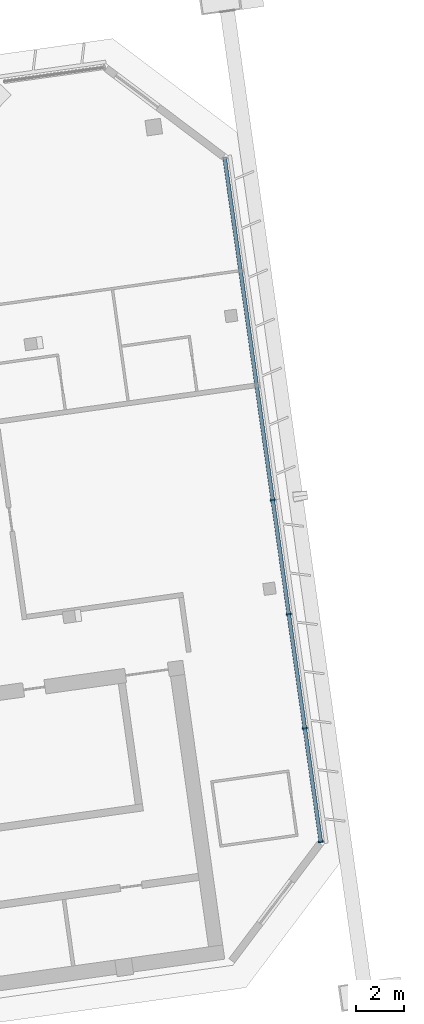
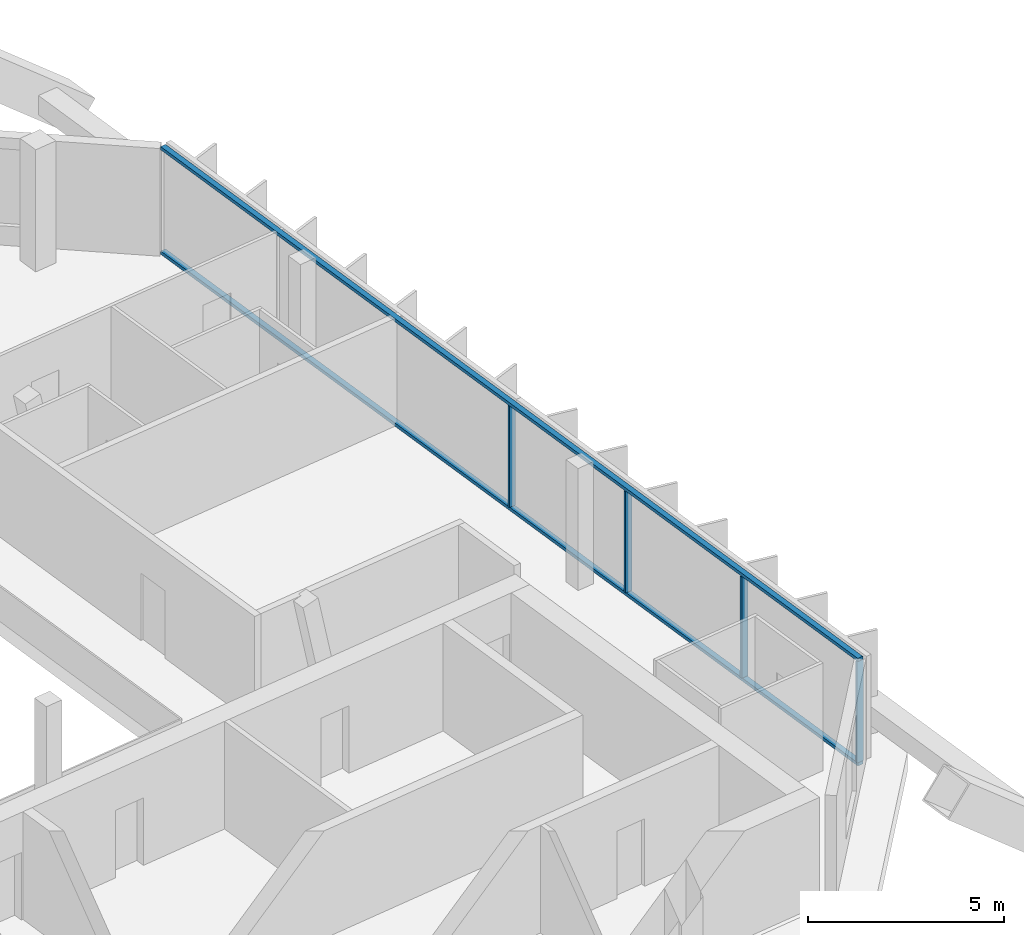
# One storey, part 11 of 26: 6 members, 1 element without a shape of its own.
"""IFC4 building model written with IfcOpenShell, lengths in metres."""

from ifc_helpers import new_model, si_unit, direction, frame, origin, origin_2d, place, context, subcontext, project, spatial, rectangle, extrude, material, material_profile, profile_set, type_object, element, aggregate, save


model = new_model("IFC4")

# Units and contexts
model_context = context("Model", 3, precision=1e-05, world=origin(), true_north=direction((0.0, 1.0)))
body_context = subcontext(model_context, "Body", "Model", "MODEL_VIEW")
ifc_project = project(units=[si_unit("LENGTHUNIT", "METRE"), si_unit("AREAUNIT", "SQUARE_METRE"), si_unit("VOLUMEUNIT", "CUBIC_METRE"), si_unit("PLANEANGLEUNIT", "RADIAN"), si_unit("MASSUNIT", "GRAM", prefix="KILO")], contexts=[model_context])

# Site, building, storey
site_placement = place(None, origin())
site = spatial("IfcSite", under=ifc_project, at=site_placement, CompositionType="ELEMENT")
building_placement = place(site_placement, origin())
building = spatial("IfcBuilding", under=site, at=building_placement, Name="Mirante Cascada Hotel Towers", CompositionType="ELEMENT")
storey_placement = place(building_placement, frame((0.0, 0.0, 228.0)))
storey = spatial("IfcBuildingStorey", under=building, at=storey_placement, Name="L54", CompositionType="ELEMENT", Elevation=228.0)

# Curtain wall, members
ifc_material_1 = material(Name="Aluminium mullion and transom frame with clear laminated glass", Category="aluminium")
curtain_wall_type = type_object("IfcCurtainWallType", Name="End ribbon curtain wall ECW2", PredefinedType="NOTDEFINED", material=ifc_material_1)
curtain_wall_placement = place(storey_placement, origin())
curtain_wall = element("IfcCurtainWall", 1, at=curtain_wall_placement, inside=storey, type_object=curtain_wall_type, Name="Outer end wall T2 L54", PredefinedType="NOTDEFINED")
ifc_material_2 = material(Name="Anodised aluminium extrusion", Category="aluminium")
ifc_material_profile_1 = material_profile(ifc_material_2, rectangle(XDim=0.2, YDim=0.065, at=origin_2d()), Name="ECW2 MULLION 65x200")
ifc_profile_set_1 = profile_set([ifc_material_profile_1], Name="Anodised aluminium extrusion")
member_type_1 = type_object("IfcMemberType", Name="ECW2 mullion 65x200", PredefinedType="MULLION", material=ifc_profile_set_1)
member_1_placement = place(storey_placement, frame((76.4184, -10.0233, 0.1), z_axis=(0.0, 0.0, 1.0), x_axis=(-0.9902681, -0.1391731, 0.0)))
member_1 = element("IfcMember", 2, at=member_1_placement, type_object=member_type_1, Name="ECW2 mullion 1", PredefinedType="MULLION", context=body_context, shape_type="SweptSolid", body=[
    extrude(rectangle(XDim=0.2, YDim=0.065, at=origin_2d()), origin(), (0.0, 0.0, 1.0), 3.15),
])
member_2_placement = place(storey_placement, frame((75.7531, -5.2897, 0.1), z_axis=(0.0, 0.0, 1.0), x_axis=(-0.9902681, -0.1391731, 0.0)))
member_2 = element("IfcMember", 3, at=member_2_placement, type_object=member_type_1, Name="ECW2 mullion 2", PredefinedType="MULLION", context=body_context, shape_type="SweptSolid", body=[
    extrude(rectangle(XDim=0.2, YDim=0.065, at=origin_2d()), origin(), (0.0, 0.0, 1.0), 3.15),
])
member_3_placement = place(storey_placement, frame((75.0833, -0.5239, 0.1), z_axis=(0.0, 0.0, 1.0), x_axis=(-0.9902681, -0.1391731, 0.0)))
member_3 = element("IfcMember", 4, at=member_3_placement, type_object=member_type_1, Name="ECW2 mullion 3", PredefinedType="MULLION", context=body_context, shape_type="SweptSolid", body=[
    extrude(rectangle(XDim=0.2, YDim=0.065, at=origin_2d()), origin(), (0.0, 0.0, 1.0), 3.15),
])
member_4_placement = place(storey_placement, frame((74.4135, 4.2419, 0.1), z_axis=(0.0, 0.0, 1.0), x_axis=(-0.9902681, -0.1391731, 0.0)))
member_4 = element("IfcMember", 5, at=member_4_placement, type_object=member_type_1, Name="ECW2 mullion 4", PredefinedType="MULLION", context=body_context, shape_type="SweptSolid", body=[
    extrude(rectangle(XDim=0.2, YDim=0.065, at=origin_2d()), origin(), (0.0, 0.0, 1.0), 3.15),
])
ifc_material_3 = material(Name="Anodised aluminium extrusion", Category="aluminium")
ifc_material_profile_2 = material_profile(ifc_material_3, rectangle(XDim=0.16, YDim=0.1, at=origin_2d()), Name="ECW2 TRANSOM 100x160")
ifc_profile_set_2 = profile_set([ifc_material_profile_2], Name="Anodised aluminium extrusion")
member_type_2 = type_object("IfcMemberType", Name="ECW2 transom 100x160", PredefinedType="USERDEFINED", material=ifc_profile_set_2)
member_5_placement = place(storey_placement, frame((76.4229, -10.0554, 0.05), z_axis=(-0.1391723, 0.9902682, 0.0), x_axis=(-0.9902682, -0.1391723, 0.0)))
member_5 = element("IfcMember", 6, at=member_5_placement, type_object=member_type_2, Name="ECW2 sill transom", ObjectType="TRANSOM", PredefinedType="USERDEFINED", context=body_context, shape_type="SweptSolid", body=[
    extrude(rectangle(XDim=0.16, YDim=0.1, at=origin_2d()), origin(), (0.0, 0.0, 1.0), 28.8757),
])
member_6_placement = place(storey_placement, frame((76.4229, -10.0554, 3.3), z_axis=(-0.1391723, 0.9902682, 0.0), x_axis=(-0.9902682, -0.1391723, 0.0)))
member_6 = element("IfcMember", 7, at=member_6_placement, type_object=member_type_2, Name="ECW2 head transom", ObjectType="TRANSOM", PredefinedType="USERDEFINED", context=body_context, shape_type="SweptSolid", body=[
    extrude(rectangle(XDim=0.16, YDim=0.1, at=origin_2d()), origin(), (0.0, 0.0, 1.0), 28.8757),
])
aggregate(curtain_wall, [member_5, member_6, member_1, member_2, member_3, member_4])

save(model, "model.ifc")
